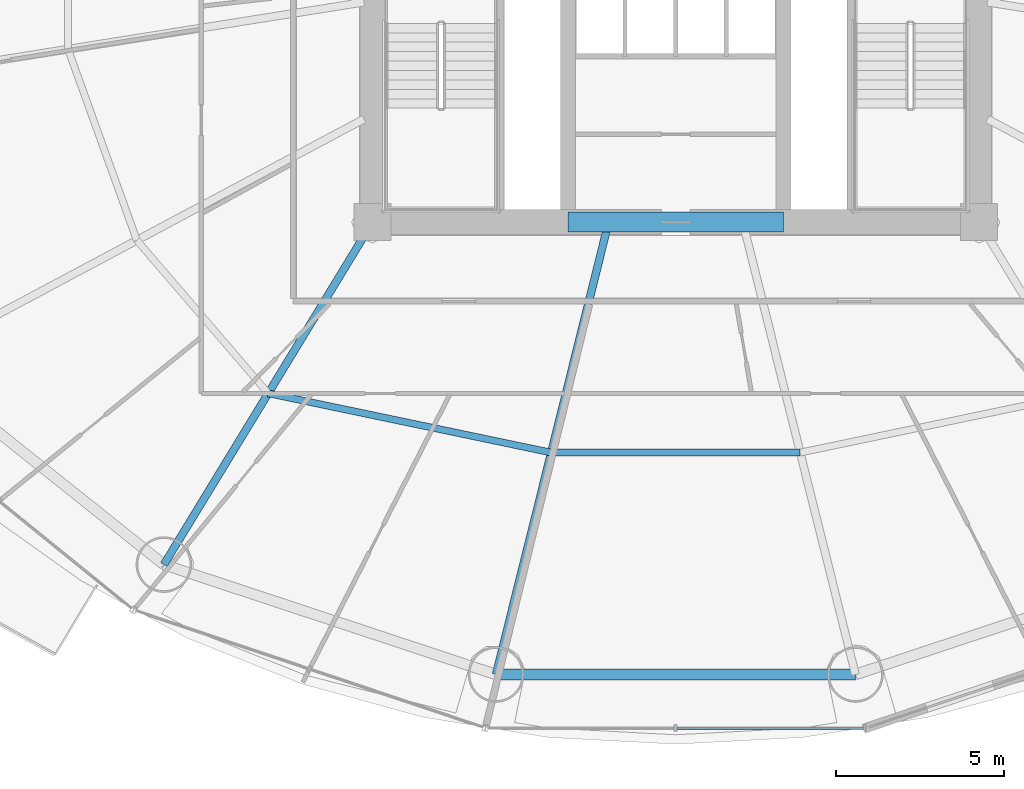
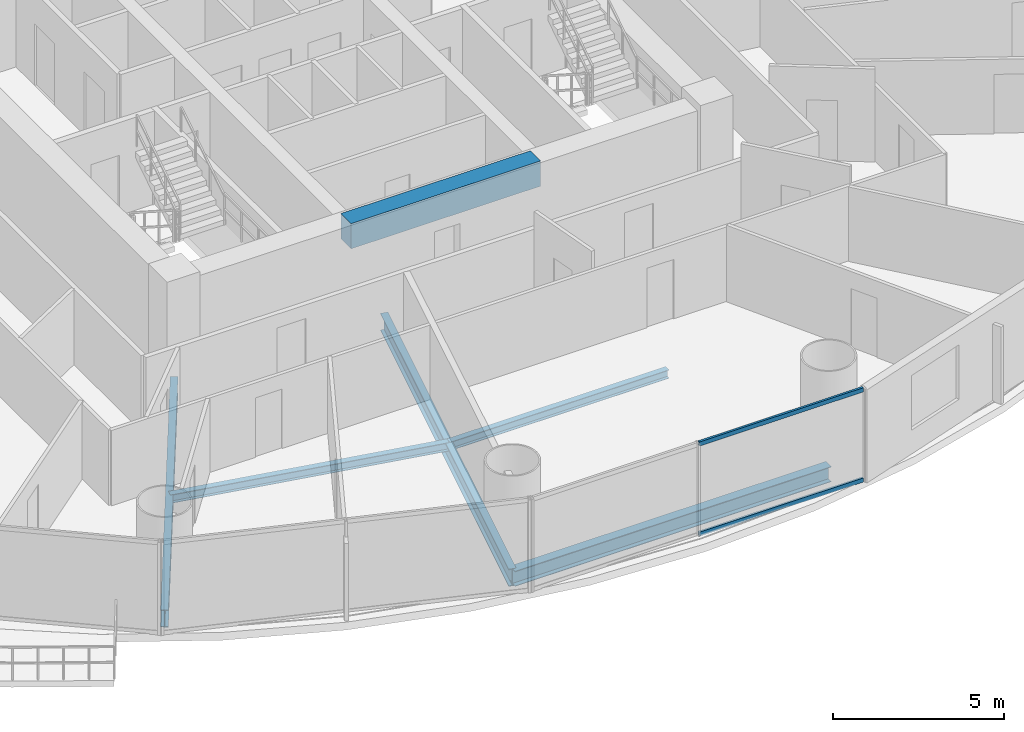
# One storey, part 5 of 30: 6 beams, 2 members, 1 element without a shape of its own.
"""IFC4 building model written with IfcOpenShell, lengths in metres."""

import ifcopenshell
import ifcopenshell.guid

model = None  # the IFC model being written
_history = None  # IfcOwnerHistory: only IFC2X3 demands one
_inside = {}  # id of a spatial element -> (the spatial element, [elements in it])
_under = {}  # id of a project, library or spatial element -> (it, [spatial elements below it])
_declared = {}  # id of a project -> (the project, [libraries it declares])
_typed = {}  # id of a type object -> (the type object, [elements of that type])
_made_of = {}  # id of a material, layer set ... -> (it, [elements and type objects made of it])


def new_model(schema):
    """Start an empty IFC model of exactly this schema.

    Asked for "IFC4X3", IfcOpenShell would pick the latest addendum, in which some entities
    have other attributes; the version numbers below select the first issue.
    IFC2X3 requires an IfcOwnerHistory on every rooted entity: one is made here for all.
    """
    global model, _history
    if schema == "IFC4X3":
        model = ifcopenshell.file(schema_version=(4, 3, 0, 0))
    else:
        model = ifcopenshell.file(schema=schema)
    _inside.clear()
    _under.clear()
    _declared.clear()
    _typed.clear()
    _made_of.clear()
    _history = None
    if model.schema == "IFC2X3":
        org = make("IfcOrganization", Name="unknown")
        user = make(
            "IfcPersonAndOrganization",
            ThePerson=make("IfcPerson", FamilyName="unknown"),
            TheOrganization=org,
        )
        app = make(
            "IfcApplication",
            ApplicationDeveloper=org,
            Version="unknown",
            ApplicationFullName="unknown",
            ApplicationIdentifier="unknown",
        )
        _history = make(
            "IfcOwnerHistory",
            OwningUser=user,
            OwningApplication=app,
            ChangeAction="ADDED",
            CreationDate=0,
        )
    return model


def make(cls, **values):
    """One entity of the class cls with the attributes given. An attribute that is None is left unset."""
    return model.create_entity(
        cls, **{name: value for name, value in values.items() if value is not None}
    )


def rooted(cls, **values):
    """An entity with a GlobalId (a new one), such as an element, a storey or a relation."""
    return make(cls, GlobalId=ifcopenshell.guid.new(), OwnerHistory=_history, **values)


def si_unit(unit_type, name, prefix=None):
    """IfcSIUnit, for example si_unit("LENGTHUNIT", "METRE", prefix="MILLI")."""
    return make("IfcSIUnit", UnitType=unit_type, Prefix=prefix, Name=name)


def assignment(units):
    """IfcUnitAssignment: the units of a project."""
    return None if units is None else make("IfcUnitAssignment", Units=units)


def point(xyz):
    """IfcCartesianPoint."""
    return None if xyz is None else make("IfcCartesianPoint", Coordinates=xyz)


def direction(xyz):
    """IfcDirection."""
    return None if xyz is None else make("IfcDirection", DirectionRatios=xyz)


def frame(location, z_axis=None, x_axis=None):
    """IfcAxis2Placement3D, a coordinate frame: its origin and axes. An axis left out is left unset."""
    return make(
        "IfcAxis2Placement3D",
        Location=point(location),
        Axis=direction(z_axis),
        RefDirection=direction(x_axis),
    )


def frame_2d(location, x_axis=None):
    """IfcAxis2Placement2D, a coordinate frame in the plane: its origin and x axis."""
    return make(
        "IfcAxis2Placement2D", Location=point(location), RefDirection=direction(x_axis)
    )


def origin():
    """The frame at (0, 0, 0) with its axes left unset."""
    return frame((0.0, 0.0, 0.0))


def origin_2d():
    """The frame at (0, 0) in the plane with its x axis left unset."""
    return frame_2d((0.0, 0.0))


def place(relative_to, where):
    """IfcLocalPlacement: puts the frame where relative to a parent placement (None: the world)."""
    return make(
        "IfcLocalPlacement", PlacementRelTo=relative_to, RelativePlacement=where
    )


def context(
    kind, dimensions, precision=None, world=None, true_north=None, identifier=None
):
    """IfcGeometricRepresentationContext, for example the 3D "Model" context."""
    return make(
        "IfcGeometricRepresentationContext",
        ContextIdentifier=identifier,
        ContextType=kind,
        CoordinateSpaceDimension=dimensions,
        Precision=precision,
        WorldCoordinateSystem=world,
        TrueNorth=true_north,
    )


def subcontext(parent, identifier, kind, view, scale=None):
    """IfcGeometricRepresentationSubContext, for example "Body" below "Model"."""
    return make(
        "IfcGeometricRepresentationSubContext",
        ContextIdentifier=identifier,
        ContextType=kind,
        ParentContext=parent,
        TargetScale=scale,
        TargetView=view,
    )


def project(units=None, contexts=None):
    """IfcProject with its units and contexts."""
    return rooted(
        "IfcProject",
        Name="project",
        RepresentationContexts=contexts,
        UnitsInContext=assignment(units),
    )


def spatial(cls, under=None, at=None, **own):
    """A site, building, storey or space (cls), placed at a placement, below another one or the project."""
    s = rooted(cls, ObjectPlacement=at, **own)
    if under is not None:
        _under.setdefault(under.id(), (under, []))[1].append(s)
    return s


def profile(cls, at=None, kind="AREA", **sizes):
    """A parametric profile (cls). Its sizes go by their IFC names, for example OverallWidth=200.0."""
    return make(cls, ProfileType=kind, Position=at, **sizes)


def rectangle(**sizes):
    """IfcRectangleProfileDef."""
    return profile("IfcRectangleProfileDef", **sizes)


def hollow_rectangle(**sizes):
    """IfcRectangleHollowProfileDef."""
    return profile("IfcRectangleHollowProfileDef", **sizes)


def i_section(**sizes):
    """IfcIShapeProfileDef."""
    return profile("IfcIShapeProfileDef", **sizes)


def extrude(swept, where, along, depth):
    """IfcExtrudedAreaSolid: the profile swept, set in the frame where, extruded along a direction by depth."""
    return make(
        "IfcExtrudedAreaSolid",
        SweptArea=swept,
        Position=where,
        ExtrudedDirection=direction(along),
        Depth=depth,
    )


def shape(context_of_items, identifier, shape_type, items):
    """IfcShapeRepresentation: the items that make up one representation, for example the "Body"."""
    return make(
        "IfcShapeRepresentation",
        ContextOfItems=context_of_items,
        RepresentationIdentifier=identifier,
        RepresentationType=shape_type,
        Items=items,
    )


def source(mapping_origin, context_of_items, identifier, shape_type, items):
    """IfcRepresentationMap: a shape defined once, which mapped items show again and again."""
    return make(
        "IfcRepresentationMap",
        MappingOrigin=mapping_origin,
        MappedRepresentation=shape(context_of_items, identifier, shape_type, items),
    )


def transform(
    local_origin,
    x_axis=None,
    y_axis=None,
    z_axis=None,
    scale=None,
    scale2=None,
    scale3=None,
    uniform=True,
):
    """IfcCartesianTransformationOperator3D, or its non-uniform kind. x_axis, y_axis, z_axis: its Axis1, 2, 3."""
    if uniform:
        return make(
            "IfcCartesianTransformationOperator3D",
            Axis1=direction(x_axis),
            Axis2=direction(y_axis),
            LocalOrigin=point(local_origin),
            Scale=scale,
            Axis3=direction(z_axis),
        )
    return make(
        "IfcCartesianTransformationOperator3DnonUniform",
        Axis1=direction(x_axis),
        Axis2=direction(y_axis),
        LocalOrigin=point(local_origin),
        Scale=scale,
        Axis3=direction(z_axis),
        Scale2=scale2,
        Scale3=scale3,
    )


def mapped(mapping_source, mapping_target):
    """IfcMappedItem: shows the shape of a source again, moved by a transform."""
    return make(
        "IfcMappedItem", MappingSource=mapping_source, MappingTarget=mapping_target
    )


def material(Name=None, Category=None):
    """IfcMaterial."""
    return make("IfcMaterial", Name=Name, Category=Category)


def material_profile(
    of_material, cross_section, Name=None, Category=None, Priority=None
):
    """IfcMaterialProfile: a cross section and its material."""
    return make(
        "IfcMaterialProfile",
        Name=Name,
        Material=of_material,
        Profile=cross_section,
        Priority=Priority,
        Category=Category,
    )


def profile_set(profiles, Name=None, composite=None):
    """IfcMaterialProfileSet."""
    return make(
        "IfcMaterialProfileSet",
        Name=Name,
        MaterialProfiles=profiles,
        CompositeProfile=composite,
    )


def made_of(thing, what):
    """Note that an element or type object is made of a material, layer set ...; save() writes the relation."""
    if what is not None:
        _made_of.setdefault(what.id(), (what, []))[1].append(thing)
    return thing


def type_object(cls, material=None, **own):
    """A type object (cls), such as IfcWallType, which elements share."""
    return made_of(rooted(cls, **own), material)


def element(
    cls,
    number,
    at=None,
    inside=None,
    cuts=None,
    type_object=None,
    material=None,
    context=None,
    identifier="Body",
    shape_type=None,
    held_by="IfcProductDefinitionShape",
    body=None,
    shapes=None,
    **own,
):
    """One element of the class cls, such as IfcWall. Its Tag is "e" and its number.

    at: its placement. inside: the storey or other place that contains it. cuts: it is an
    opening in that element (IfcRelVoidsElement). A single representation is given by context,
    identifier, shape_type and body (its items); several are given by shapes. held_by: the class
    of the entity that holds the representations. save() writes the other relations.
    """
    e = rooted(cls, Tag="e%d" % number, ObjectPlacement=at, **own)
    if body is not None:
        shapes = [shape(context, identifier, shape_type, body)]
    if shapes is not None:
        e.Representation = make(held_by, Representations=shapes)
    if inside is not None:
        _inside.setdefault(inside.id(), (inside, []))[1].append(e)
    if cuts is not None:
        rooted(
            "IfcRelVoidsElement", RelatingBuildingElement=cuts, RelatedOpeningElement=e
        )
    if type_object is not None:
        _typed.setdefault(type_object.id(), (type_object, []))[1].append(e)
    return made_of(e, material)


def aggregate(whole, parts):
    """IfcRelAggregates: a whole, such as a stair, and the parts it consists of."""
    return rooted("IfcRelAggregates", RelatingObject=whole, RelatedObjects=parts)


def save(model, path):
    """Write the relations noted so far, then the file.

    IfcRelAggregates (storeys below a building ...), IfcRelContainedInSpatialStructure (elements
    in a storey), IfcRelDefinesByType, IfcRelAssociatesMaterial and IfcRelDeclares: one each for
    every whole, place, type object, material and project.
    """
    for whole, parts in _under.values():
        aggregate(whole, parts)
    for where, things in _inside.values():
        rooted(
            "IfcRelContainedInSpatialStructure",
            RelatedElements=things,
            RelatingStructure=where,
        )
    for kind, things in _typed.values():
        rooted("IfcRelDefinesByType", RelatedObjects=things, RelatingType=kind)
    for what, things in _made_of.values():
        rooted("IfcRelAssociatesMaterial", RelatedObjects=things, RelatingMaterial=what)
    for by, libraries in _declared.values():
        rooted("IfcRelDeclares", RelatingContext=by, RelatedDefinitions=libraries)
    model.write(path)


model = new_model("IFC4")

# Units and contexts
model_context = context("Model", 3, precision=1e-05, world=origin(), true_north=direction((-0.2419218956, 0.970295726276)))
body_context = subcontext(model_context, "Body", "Model", "MODEL_VIEW")
ifc_project = project(units=[si_unit("LENGTHUNIT", "METRE"), si_unit("AREAUNIT", "SQUARE_METRE"), si_unit("VOLUMEUNIT", "CUBIC_METRE"), si_unit("PLANEANGLEUNIT", "RADIAN"), si_unit("MASSUNIT", "GRAM", prefix="KILO")], contexts=[model_context])

# Site, building, storey
site_placement = place(None, origin())
site = spatial("IfcSite", under=ifc_project, at=site_placement, CompositionType="ELEMENT")
building_placement = place(site_placement, origin())
building = spatial("IfcBuilding", under=site, at=building_placement, Name="Cobrevalo Terracotta Tower", CompositionType="ELEMENT")
storey_placement = place(building_placement, frame((0.0, 0.0, 31.199951171875)))
storey = spatial("IfcBuildingStorey", under=building, at=storey_placement, Name="L07", CompositionType="ELEMENT", Elevation=31.199951171875)

# Beams
ifc_material_1 = material(Name="Concrete C60", Category="concrete")
ifc_material_profile_1 = material_profile(ifc_material_1, rectangle(XDim=0.60009765625, YDim=0.89990234375, at=origin_2d()), Name="RC CB 600x900")
ifc_profile_set_1 = profile_set([ifc_material_profile_1], Name="Concrete C60")
beam_type_1 = type_object("IfcBeamType", Name="Structural Beam RC CB 600x900 (Concrete C60)", PredefinedType="BEAM", material=ifc_profile_set_1)
beam_1_placement = place(storey_placement, frame((34.800048828125, 18.800048828125, 2.8701171875), z_axis=(1.0, 0.0, 0.0), x_axis=(0.0, 1.0, 0.0)))
element("IfcBeam", 1, at=beam_1_placement, inside=storey, type_object=beam_type_1, Name="L07 core coupling beam 1", PredefinedType="BEAM", context=body_context, shape_type="SweptSolid", body=[
    extrude(rectangle(XDim=0.60009765625, YDim=0.89990234375, at=origin_2d()), origin(), (0.0, 0.0, 1.0), 6.39990234375),
])
ifc_material_2 = material(Name="Steel S355", Category="steel")
ifc_material_profile_2 = material_profile(ifc_material_2, i_section(OverallWidth=0.22998046875, OverallDepth=0.616943359375, WebThickness=0.01318359375, FlangeThickness=0.022216796875, at=origin_2d()), Name="W 610x140")
ifc_profile_set_2 = profile_set([ifc_material_profile_2], Name="Steel S355")
beam_type_2 = type_object("IfcBeamType", Name="Structural Beam W 610x140 (Steel S355)", PredefinedType="BEAM", material=ifc_profile_set_2)
beam_2_placement = place(storey_placement, frame((22.80517578125, 8.63232421875, -0.58837890625), z_axis=(0.520300780853, 0.853983077961, 0.0), x_axis=(-0.853983077961, 0.520300780853, 0.0)))
element("IfcBeam", 2, at=beam_2_placement, inside=storey, type_object=beam_type_2, Name="L07 radial floor girder 11", PredefinedType="BEAM", context=body_context, shape_type="SweptSolid", body=[
    extrude(i_section(OverallWidth=0.22998046875, OverallDepth=0.616943359375, WebThickness=0.01318359375, FlangeThickness=0.022216796875, at=origin_2d()), origin(), (0.0, 0.0, 1.0), 11.90625),
])
beam_3_placement = place(storey_placement, frame((32.664306640625, 5.369873046875, -0.58837890625), z_axis=(0.241600470374, 0.970375810042, 0.0), x_axis=(-0.970375810042, 0.241600470374, 0.0)))
element("IfcBeam", 3, at=beam_3_placement, inside=storey, type_object=beam_type_2, Name="L07 radial floor girder 12", PredefinedType="BEAM", context=body_context, shape_type="SweptSolid", body=[
    extrude(i_section(OverallWidth=0.22998046875, OverallDepth=0.616943359375, WebThickness=0.01318359375, FlangeThickness=0.022216796875, at=origin_2d()), origin(), (0.0, 0.0, 1.0), 13.5771484375),
])
ifc_material_profile_3 = material_profile(ifc_material_2, i_section(OverallWidth=0.2041015625, OverallDepth=0.305908203125, WebThickness=0.008544921875, FlangeThickness=0.0146484375, at=origin_2d()), Name="W 310x67")
ifc_profile_set_3 = profile_set([ifc_material_profile_3], Name="Steel S355")
beam_type_3 = type_object("IfcBeamType", Name="Structural Joist W 310x67 (Steel S355)", PredefinedType="JOIST", material=ifc_profile_set_3)
beam_4_placement = place(storey_placement, frame((25.902587890625, 13.71630859375, -0.432861328125), z_axis=(0.978784523904, -0.204892302848, 0.0), x_axis=(0.204892302848, 0.978784523904, 0.0)))
element("IfcBeam", 4, at=beam_4_placement, inside=storey, type_object=beam_type_3, Name="L07 circumferential secondary floor joist 11", PredefinedType="JOIST", context=body_context, shape_type="SweptSolid", body=[
    extrude(i_section(OverallWidth=0.2041015625, OverallDepth=0.305908203125, WebThickness=0.008544921875, FlangeThickness=0.0146484375, at=origin_2d()), origin(), (0.0, 0.0, 1.0), 8.583984375),
])
beam_5_placement = place(storey_placement, frame((34.304443359375, 11.95751953125, -0.432861328125), z_axis=(1.0, 0.0, 0.0), x_axis=(0.0, 1.0, 0.0)))
element("IfcBeam", 5, at=beam_5_placement, inside=storey, type_object=beam_type_3, Name="L07 circumferential secondary floor joist 12", PredefinedType="JOIST", context=body_context, shape_type="SweptSolid", body=[
    extrude(i_section(OverallWidth=0.2041015625, OverallDepth=0.305908203125, WebThickness=0.008544921875, FlangeThickness=0.0146484375, at=origin_2d()), origin(), (0.0, 0.0, 1.0), 7.39111328125),
])
ifc_material_profile_4 = material_profile(ifc_material_2, i_section(OverallWidth=0.31201171875, OverallDepth=0.54296875, WebThickness=0.0126953125, FlangeThickness=0.020263671875, at=origin_2d()), Name="W 530x150")
ifc_profile_set_4 = profile_set([ifc_material_profile_4], Name="Steel S355")
beam_type_4 = type_object("IfcBeamType", Name="Structural Spandrel W 530x150 (Steel S355)", PredefinedType="SPANDREL", material=ifc_profile_set_4)
beam_6_placement = place(storey_placement, frame((32.664306640625, 5.369873046875, -0.551513671875), z_axis=(1.0, 0.0, 0.0), x_axis=(0.0, 1.0, 0.0)))
element("IfcBeam", 6, at=beam_6_placement, inside=storey, type_object=beam_type_4, Name="L07 perimeter ring spandrel 12", PredefinedType="SPANDREL", context=body_context, shape_type="SweptSolid", body=[
    extrude(i_section(OverallWidth=0.31201171875, OverallDepth=0.54296875, WebThickness=0.0126953125, FlangeThickness=0.020263671875, at=origin_2d()), origin(), (0.0, 0.0, 1.0), 10.67138671875),
])

# Curtain wall, members
ifc_material_3 = material(Name="Anodized aluminium", Category="aluminium")
curtain_wall_type = type_object("IfcCurtainWallType", Name="Lower-tower unitised acoustic low-E curtain wall CW-U1", PredefinedType="NOTDEFINED", material=ifc_material_3)
curtain_wall_placement = place(storey_placement, origin())
curtain_wall = element("IfcCurtainWall", 7, at=curtain_wall_placement, inside=storey, type_object=curtain_wall_type, Name="L07 curtain wall CW-L07-S12", PredefinedType="NOTDEFINED")
ifc_material_profile_5 = material_profile(ifc_material_3, hollow_rectangle(XDim=0.074951171875, YDim=0.14990234375, WallThickness=0.00439453125, at=origin_2d()), Name="CWT 75x150")
ifc_profile_set_5 = profile_set([ifc_material_profile_5], Name="Anodized aluminium")
member_type = type_object("IfcMemberType", Name="Tower unitised aluminium transom 75x150", PredefinedType="USERDEFINED", material=ifc_profile_set_5)
shared_shape = source(origin(), body_context, "Body", "SweptSolid", [
    extrude(hollow_rectangle(XDim=0.074951171875, YDim=0.14990234375, WallThickness=0.00439453125, at=origin_2d()), origin(), (0.0, 0.0, 1.0), 5.53173828125),
])
member_1_placement = place(storey_placement, frame((38.0400390625, 3.781005859375, 0.050048828125), z_axis=(1.0, 0.0, 0.0), x_axis=(0.0, 1.0, 0.0)))
member_1 = element("IfcMember", 8, at=member_1_placement, type_object=member_type, Name="CW-L07-S12 transom B02-T1", ObjectType="TRANSOM", PredefinedType="USERDEFINED", context=body_context, shape_type="MappedRepresentation", body=[
    mapped(shared_shape, transform((0.0, 0.0, 0.0), scale=1.0)),
])
member_2_placement = place(storey_placement, frame((38.0400390625, 3.781005859375, 3.27001953125), z_axis=(1.0, 0.0, 0.0), x_axis=(0.0, 1.0, 0.0)))
member_2 = element("IfcMember", 9, at=member_2_placement, type_object=member_type, Name="CW-L07-S12 transom B02-T2", ObjectType="TRANSOM", PredefinedType="USERDEFINED", context=body_context, shape_type="MappedRepresentation", body=[
    mapped(shared_shape, transform((0.0, 0.0, 0.0), scale=1.0)),
])
aggregate(curtain_wall, [member_1, member_2])

save(model, "model.ifc")
